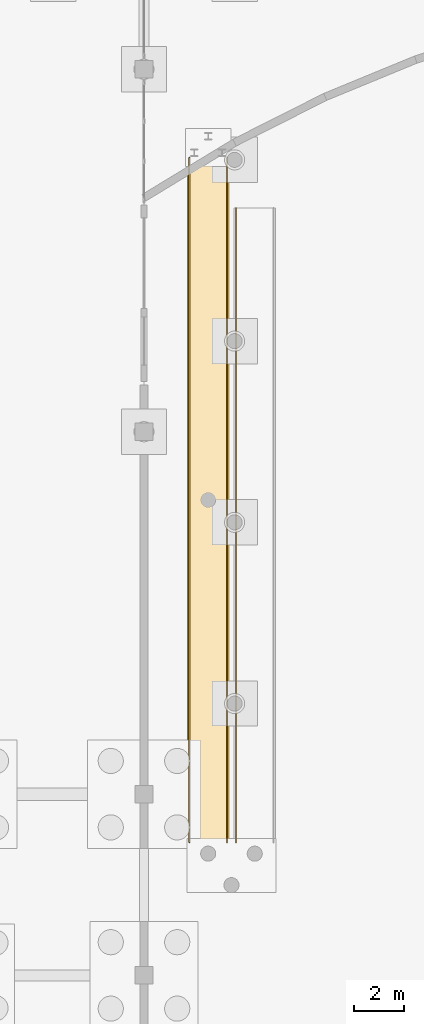
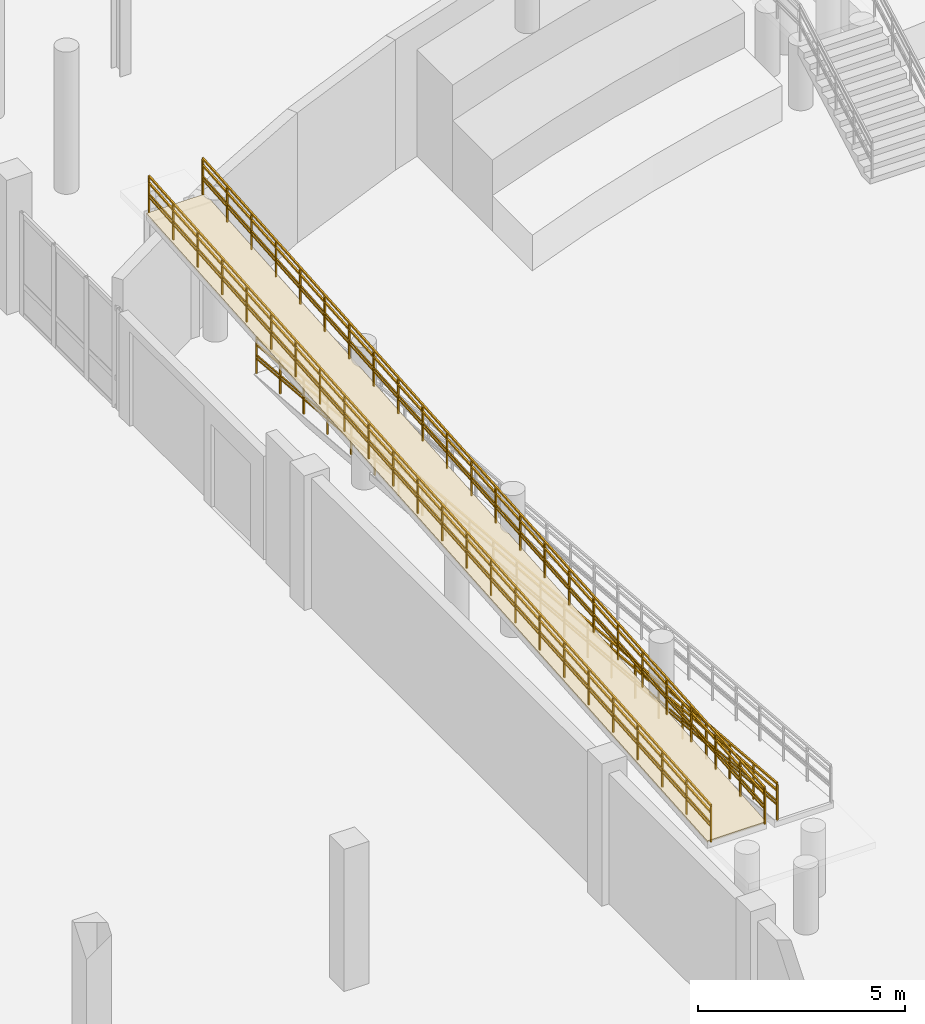
# One storey, part 49 of 56: 6 railings, 1 covering.
"""IFC4 building model written with IfcOpenShell, lengths in metres."""

from ifc_helpers import new_model, si_unit, direction, frame, origin, origin_2d, place, context, subcontext, project, spatial, polyline, rectangle, outline, extrude, material, layer, layer_set, type_object, element, save


model = new_model("IFC4")

# Units and contexts
model_context = context("Model", 3, precision=1e-05, world=origin(), true_north=direction((0.0, 1.0)))
body_context = subcontext(model_context, "Body", "Model", "MODEL_VIEW")
ifc_project = project(units=[si_unit("LENGTHUNIT", "METRE"), si_unit("AREAUNIT", "SQUARE_METRE"), si_unit("VOLUMEUNIT", "CUBIC_METRE"), si_unit("PLANEANGLEUNIT", "RADIAN"), si_unit("MASSUNIT", "GRAM", prefix="KILO")], contexts=[model_context])

# Site, building, storey
site_placement = place(None, origin())
site = spatial("IfcSite", under=ifc_project, at=site_placement, CompositionType="ELEMENT")
building_placement = place(site_placement, origin())
building = spatial("IfcBuilding", under=site, at=building_placement, Name="Suanplinth Sawtooth Commons", CompositionType="ELEMENT")
storey_placement = place(building_placement, frame((0.0, 0.0, -4.199951171875)))
storey = spatial("IfcBuildingStorey", under=building, at=storey_placement, Name="B1", CompositionType="ELEMENT", Elevation=-4.199951171875)

# Covering
ifc_material_1 = material(Name="Insulated zinc-aluminium architectural wall panel", Category="aluminium")
ifc_layer = layer(ifc_material_1, 0.139892578125, Name="Insulated architectural gable tympanum cladding 140mm")
ifc_layer_set = layer_set([ifc_layer], Name="Insulated zinc-aluminium architectural wall panel")
covering_type = type_object("IfcCoveringType", Name="CV-CL02", PredefinedType="CLADDING", material=ifc_layer_set)
covering_placement = place(storey_placement, frame((59.330078125, 12.5380859375, 2.119873046875), z_axis=(0.0, -0.076390700414, 0.99707796129), x_axis=(1.0, 0.0, 0.0)))
element("IfcCovering", 1, at=covering_placement, inside=storey, type_object=covering_type, Name="RMP-AR-01 Upper Ramp Deck Stone Finish", PredefinedType="CLADDING", context=body_context, shape_type="SweptSolid", body=[
    extrude(outline(polyline([(0.0, 0.0), (1.639892578125, 0.0), (1.639892578125, 27.22946790301392), (0.0, 27.22946790301392), (0.0, 0.0)])), origin(), (0.0, 0.0, -1.0), 0.06005859375),
])

# Railings
ifc_material_2 = material(Name="Stainless steel Grade 304", Category="steel")
railing_type_1 = type_object("IfcRailingType", Name="GR-04", PredefinedType="GUARDRAIL", material=ifc_material_2)
railing_1_placement = place(storey_placement, frame((61.25, 37.68798828125, 0.0)))
element("IfcRailing", 2, at=railing_1_placement, inside=storey, type_object=railing_type_1, Name="RMP-AR-01 Guard 1", PredefinedType="GUARDRAIL", context=body_context, shape_type="SweptSolid", body=[
    extrude(rectangle(XDim=0.048095703125, YDim=0.048095703125, at=origin_2d()), frame((0.0, 0.0, 1.076171875), z_axis=(0.0, -0.996546224317, 0.083039886798), x_axis=(1.0, 0.0, 0.0)), (0.0, 0.0, 1.0), 25.287353515625),
    extrude(rectangle(XDim=0.03369140625, YDim=0.03369140625, at=origin_2d()), frame((0.0, 0.0, 0.550048828125), z_axis=(0.0, -0.996546224317, 0.083039886798), x_axis=(1.0, 0.0, 0.0)), (0.0, 0.0, 1.0), 25.287353515625),
    extrude(rectangle(XDim=0.0419921875, YDim=0.0419921875, at=origin_2d()), origin(), (0.0, 0.0, 1.0), 1.052001953125),
    extrude(rectangle(XDim=0.0419921875, YDim=0.0419921875, at=origin_2d()), frame((0.0, -1.1455078125, 0.095458984375)), (0.0, 0.0, 1.0), 1.052001953125),
    extrude(rectangle(XDim=0.0419921875, YDim=0.0419921875, at=origin_2d()), frame((0.0, -2.291015625, 0.19091796875)), (0.0, 0.0, 1.0), 1.052001953125),
    extrude(rectangle(XDim=0.0419921875, YDim=0.0419921875, at=origin_2d()), frame((0.0, -3.436279296875, 0.286376953125)), (0.0, 0.0, 1.0), 1.052001953125),
    extrude(rectangle(XDim=0.0419921875, YDim=0.0419921875, at=origin_2d()), frame((0.0, -4.581787109375, 0.3818359375)), (0.0, 0.0, 1.0), 1.052001953125),
    extrude(rectangle(XDim=0.0419921875, YDim=0.0419921875, at=origin_2d()), frame((0.0, -5.727294921875, 0.477294921875)), (0.0, 0.0, 1.0), 1.052001953125),
    extrude(rectangle(XDim=0.0419921875, YDim=0.0419921875, at=origin_2d()), frame((0.0, -6.872802734375, 0.57275390625)), (0.0, 0.0, 1.0), 1.052001953125),
    extrude(rectangle(XDim=0.0419921875, YDim=0.0419921875, at=origin_2d()), frame((0.0, -8.01806640625, 0.668212890625)), (0.0, 0.0, 1.0), 1.052001953125),
    extrude(rectangle(XDim=0.0419921875, YDim=0.0419921875, at=origin_2d()), frame((0.0, -9.16357421875, 0.763671875)), (0.0, 0.0, 1.0), 1.052001953125),
    extrude(rectangle(XDim=0.0419921875, YDim=0.0419921875, at=origin_2d()), frame((0.0, -10.30908203125, 0.859130859375)), (0.0, 0.0, 1.0), 1.052001953125),
    extrude(rectangle(XDim=0.0419921875, YDim=0.0419921875, at=origin_2d()), frame((0.0, -11.45458984375, 0.95458984375)), (0.0, 0.0, 1.0), 1.052001953125),
    extrude(rectangle(XDim=0.0419921875, YDim=0.0419921875, at=origin_2d()), frame((0.0, -12.60009765625, 1.0498046875)), (0.0, 0.0, 1.0), 1.052001953125),
    extrude(rectangle(XDim=0.0419921875, YDim=0.0419921875, at=origin_2d()), frame((0.0, -13.745361328125, 1.145263671875)), (0.0, 0.0, 1.0), 1.052001953125),
    extrude(rectangle(XDim=0.0419921875, YDim=0.0419921875, at=origin_2d()), frame((0.0, -14.890869140625, 1.24072265625)), (0.0, 0.0, 1.0), 1.052001953125),
    extrude(rectangle(XDim=0.0419921875, YDim=0.0419921875, at=origin_2d()), frame((0.0, -16.036376953125, 1.336181640625)), (0.0, 0.0, 1.0), 1.052001953125),
    extrude(rectangle(XDim=0.0419921875, YDim=0.0419921875, at=origin_2d()), frame((0.0, -17.181884765625, 1.431640625)), (0.0, 0.0, 1.0), 1.052001953125),
    extrude(rectangle(XDim=0.0419921875, YDim=0.0419921875, at=origin_2d()), frame((0.0, -18.3271484375, 1.527099609375)), (0.0, 0.0, 1.0), 1.052001953125),
    extrude(rectangle(XDim=0.0419921875, YDim=0.0419921875, at=origin_2d()), frame((0.0, -19.47265625, 1.62255859375)), (0.0, 0.0, 1.0), 1.052001953125),
    extrude(rectangle(XDim=0.0419921875, YDim=0.0419921875, at=origin_2d()), frame((0.0, -20.6181640625, 1.718017578125)), (0.0, 0.0, 1.0), 1.052001953125),
    extrude(rectangle(XDim=0.0419921875, YDim=0.0419921875, at=origin_2d()), frame((0.0, -21.763671875, 1.8134765625)), (0.0, 0.0, 1.0), 1.052001953125),
    extrude(rectangle(XDim=0.0419921875, YDim=0.0419921875, at=origin_2d()), frame((0.0, -22.908935546875, 1.908935546875)), (0.0, 0.0, 1.0), 1.052001953125),
    extrude(rectangle(XDim=0.0419921875, YDim=0.0419921875, at=origin_2d()), frame((0.0, -24.054443359375, 2.00439453125)), (0.0, 0.0, 1.0), 1.052001953125),
    extrude(rectangle(XDim=0.0419921875, YDim=0.0419921875, at=origin_2d()), frame((0.0, -25.199951171875, 2.099853515625)), (0.0, 0.0, 1.0), 1.052001953125),
])
railing_2_placement = place(storey_placement, frame((59.39990234375, 12.488037109375, 2.099853515625)))
element("IfcRailing", 3, at=railing_2_placement, inside=storey, type_object=railing_type_1, Name="RMP-AR-01 Guard 3", PredefinedType="GUARDRAIL", context=body_context, shape_type="SweptSolid", body=[
    extrude(rectangle(XDim=0.048095703125, YDim=0.048095703125, at=origin_2d()), frame((0.0, 0.0, 1.076171875), z_axis=(0.0, 0.997032598624, 0.076980499353), x_axis=(-1.0, 0.0, 0.0)), (0.0, 0.0, 1.0), 27.281005859375),
    extrude(rectangle(XDim=0.03369140625, YDim=0.03369140625, at=origin_2d()), frame((0.0, 0.0, 0.550048828125), z_axis=(0.0, 0.997032598624, 0.076980499353), x_axis=(-1.0, 0.0, 0.0)), (0.0, 0.0, 1.0), 27.281005859375),
    extrude(rectangle(XDim=0.0419921875, YDim=0.0419921875, at=origin_2d()), origin(), (0.0, 0.0, 1.0), 1.052001953125),
    extrude(rectangle(XDim=0.0419921875, YDim=0.0419921875, at=origin_2d()), frame((0.0, 1.1826171875, 0.09130859375)), (0.0, 0.0, 1.0), 1.052001953125),
    extrude(rectangle(XDim=0.0419921875, YDim=0.0419921875, at=origin_2d()), frame((0.0, 2.365234375, 0.1826171875)), (0.0, 0.0, 1.0), 1.052001953125),
    extrude(rectangle(XDim=0.0419921875, YDim=0.0419921875, at=origin_2d()), frame((0.0, 3.5478515625, 0.27392578125)), (0.0, 0.0, 1.0), 1.052001953125),
    extrude(rectangle(XDim=0.0419921875, YDim=0.0419921875, at=origin_2d()), frame((0.0, 4.73046875, 0.365234375)), (0.0, 0.0, 1.0), 1.052001953125),
    extrude(rectangle(XDim=0.0419921875, YDim=0.0419921875, at=origin_2d()), frame((0.0, 5.9130859375, 0.45654296875)), (0.0, 0.0, 1.0), 1.052001953125),
    extrude(rectangle(XDim=0.0419921875, YDim=0.0419921875, at=origin_2d()), frame((0.0, 7.095703125, 0.5478515625)), (0.0, 0.0, 1.0), 1.052001953125),
    extrude(rectangle(XDim=0.0419921875, YDim=0.0419921875, at=origin_2d()), frame((0.0, 8.2783203125, 0.63916015625)), (0.0, 0.0, 1.0), 1.052001953125),
    extrude(rectangle(XDim=0.0419921875, YDim=0.0419921875, at=origin_2d()), frame((0.0, 9.4609375, 0.73046875)), (0.0, 0.0, 1.0), 1.052001953125),
    extrude(rectangle(XDim=0.0419921875, YDim=0.0419921875, at=origin_2d()), frame((0.0, 10.6435546875, 0.82177734375)), (0.0, 0.0, 1.0), 1.052001953125),
    extrude(rectangle(XDim=0.0419921875, YDim=0.0419921875, at=origin_2d()), frame((0.0, 11.826171875, 0.9130859375)), (0.0, 0.0, 1.0), 1.052001953125),
    extrude(rectangle(XDim=0.0419921875, YDim=0.0419921875, at=origin_2d()), frame((0.0, 13.0087890625, 1.00439453125)), (0.0, 0.0, 1.0), 1.052001953125),
    extrude(rectangle(XDim=0.0419921875, YDim=0.0419921875, at=origin_2d()), frame((0.0, 14.191162109375, 1.095703125)), (0.0, 0.0, 1.0), 1.052001953125),
    extrude(rectangle(XDim=0.0419921875, YDim=0.0419921875, at=origin_2d()), frame((0.0, 15.373779296875, 1.18701171875)), (0.0, 0.0, 1.0), 1.052001953125),
    extrude(rectangle(XDim=0.0419921875, YDim=0.0419921875, at=origin_2d()), frame((0.0, 16.556396484375, 1.2783203125)), (0.0, 0.0, 1.0), 1.052001953125),
    extrude(rectangle(XDim=0.0419921875, YDim=0.0419921875, at=origin_2d()), frame((0.0, 17.739013671875, 1.36962890625)), (0.0, 0.0, 1.0), 1.052001953125),
    extrude(rectangle(XDim=0.0419921875, YDim=0.0419921875, at=origin_2d()), frame((0.0, 18.921630859375, 1.4609375)), (0.0, 0.0, 1.0), 1.052001953125),
    extrude(rectangle(XDim=0.0419921875, YDim=0.0419921875, at=origin_2d()), frame((0.0, 20.104248046875, 1.55224609375)), (0.0, 0.0, 1.0), 1.052001953125),
    extrude(rectangle(XDim=0.0419921875, YDim=0.0419921875, at=origin_2d()), frame((0.0, 21.286865234375, 1.6435546875)), (0.0, 0.0, 1.0), 1.052001953125),
    extrude(rectangle(XDim=0.0419921875, YDim=0.0419921875, at=origin_2d()), frame((0.0, 22.469482421875, 1.73486328125)), (0.0, 0.0, 1.0), 1.052001953125),
    extrude(rectangle(XDim=0.0419921875, YDim=0.0419921875, at=origin_2d()), frame((0.0, 23.652099609375, 1.826171875)), (0.0, 0.0, 1.0), 1.052001953125),
    extrude(rectangle(XDim=0.0419921875, YDim=0.0419921875, at=origin_2d()), frame((0.0, 24.834716796875, 1.91748046875)), (0.0, 0.0, 1.0), 1.052001953125),
    extrude(rectangle(XDim=0.0419921875, YDim=0.0419921875, at=origin_2d()), frame((0.0, 26.017333984375, 2.0087890625)), (0.0, 0.0, 1.0), 1.052001953125),
    extrude(rectangle(XDim=0.0419921875, YDim=0.0419921875, at=origin_2d()), frame((0.0, 27.199951171875, 2.10009765625)), (0.0, 0.0, 1.0), 1.052001953125),
])
railing_3_placement = place(storey_placement, frame((60.89990234375, 12.488037109375, 2.099853515625)))
element("IfcRailing", 4, at=railing_3_placement, inside=storey, type_object=railing_type_1, Name="RMP-AR-01 Guard 4", PredefinedType="GUARDRAIL", context=body_context, shape_type="SweptSolid", body=[
    extrude(rectangle(XDim=0.048095703125, YDim=0.048095703125, at=origin_2d()), frame((0.0, 0.0, 1.076171875), z_axis=(0.0, 0.997032598624, 0.076980499353), x_axis=(-1.0, 0.0, 0.0)), (0.0, 0.0, 1.0), 27.281005859375),
    extrude(rectangle(XDim=0.03369140625, YDim=0.03369140625, at=origin_2d()), frame((0.0, 0.0, 0.550048828125), z_axis=(0.0, 0.997032598624, 0.076980499353), x_axis=(-1.0, 0.0, 0.0)), (0.0, 0.0, 1.0), 27.281005859375),
    extrude(rectangle(XDim=0.0419921875, YDim=0.0419921875, at=origin_2d()), origin(), (0.0, 0.0, 1.0), 1.052001953125),
    extrude(rectangle(XDim=0.0419921875, YDim=0.0419921875, at=origin_2d()), frame((0.0, 1.1826171875, 0.09130859375)), (0.0, 0.0, 1.0), 1.052001953125),
    extrude(rectangle(XDim=0.0419921875, YDim=0.0419921875, at=origin_2d()), frame((0.0, 2.365234375, 0.1826171875)), (0.0, 0.0, 1.0), 1.052001953125),
    extrude(rectangle(XDim=0.0419921875, YDim=0.0419921875, at=origin_2d()), frame((0.0, 3.5478515625, 0.27392578125)), (0.0, 0.0, 1.0), 1.052001953125),
    extrude(rectangle(XDim=0.0419921875, YDim=0.0419921875, at=origin_2d()), frame((0.0, 4.73046875, 0.365234375)), (0.0, 0.0, 1.0), 1.052001953125),
    extrude(rectangle(XDim=0.0419921875, YDim=0.0419921875, at=origin_2d()), frame((0.0, 5.9130859375, 0.45654296875)), (0.0, 0.0, 1.0), 1.052001953125),
    extrude(rectangle(XDim=0.0419921875, YDim=0.0419921875, at=origin_2d()), frame((0.0, 7.095703125, 0.5478515625)), (0.0, 0.0, 1.0), 1.052001953125),
    extrude(rectangle(XDim=0.0419921875, YDim=0.0419921875, at=origin_2d()), frame((0.0, 8.2783203125, 0.63916015625)), (0.0, 0.0, 1.0), 1.052001953125),
    extrude(rectangle(XDim=0.0419921875, YDim=0.0419921875, at=origin_2d()), frame((0.0, 9.4609375, 0.73046875)), (0.0, 0.0, 1.0), 1.052001953125),
    extrude(rectangle(XDim=0.0419921875, YDim=0.0419921875, at=origin_2d()), frame((0.0, 10.6435546875, 0.82177734375)), (0.0, 0.0, 1.0), 1.052001953125),
    extrude(rectangle(XDim=0.0419921875, YDim=0.0419921875, at=origin_2d()), frame((0.0, 11.826171875, 0.9130859375)), (0.0, 0.0, 1.0), 1.052001953125),
    extrude(rectangle(XDim=0.0419921875, YDim=0.0419921875, at=origin_2d()), frame((0.0, 13.0087890625, 1.00439453125)), (0.0, 0.0, 1.0), 1.052001953125),
    extrude(rectangle(XDim=0.0419921875, YDim=0.0419921875, at=origin_2d()), frame((0.0, 14.191162109375, 1.095703125)), (0.0, 0.0, 1.0), 1.052001953125),
    extrude(rectangle(XDim=0.0419921875, YDim=0.0419921875, at=origin_2d()), frame((0.0, 15.373779296875, 1.18701171875)), (0.0, 0.0, 1.0), 1.052001953125),
    extrude(rectangle(XDim=0.0419921875, YDim=0.0419921875, at=origin_2d()), frame((0.0, 16.556396484375, 1.2783203125)), (0.0, 0.0, 1.0), 1.052001953125),
    extrude(rectangle(XDim=0.0419921875, YDim=0.0419921875, at=origin_2d()), frame((0.0, 17.739013671875, 1.36962890625)), (0.0, 0.0, 1.0), 1.052001953125),
    extrude(rectangle(XDim=0.0419921875, YDim=0.0419921875, at=origin_2d()), frame((0.0, 18.921630859375, 1.4609375)), (0.0, 0.0, 1.0), 1.052001953125),
    extrude(rectangle(XDim=0.0419921875, YDim=0.0419921875, at=origin_2d()), frame((0.0, 20.104248046875, 1.55224609375)), (0.0, 0.0, 1.0), 1.052001953125),
    extrude(rectangle(XDim=0.0419921875, YDim=0.0419921875, at=origin_2d()), frame((0.0, 21.286865234375, 1.6435546875)), (0.0, 0.0, 1.0), 1.052001953125),
    extrude(rectangle(XDim=0.0419921875, YDim=0.0419921875, at=origin_2d()), frame((0.0, 22.469482421875, 1.73486328125)), (0.0, 0.0, 1.0), 1.052001953125),
    extrude(rectangle(XDim=0.0419921875, YDim=0.0419921875, at=origin_2d()), frame((0.0, 23.652099609375, 1.826171875)), (0.0, 0.0, 1.0), 1.052001953125),
    extrude(rectangle(XDim=0.0419921875, YDim=0.0419921875, at=origin_2d()), frame((0.0, 24.834716796875, 1.91748046875)), (0.0, 0.0, 1.0), 1.052001953125),
    extrude(rectangle(XDim=0.0419921875, YDim=0.0419921875, at=origin_2d()), frame((0.0, 26.017333984375, 2.0087890625)), (0.0, 0.0, 1.0), 1.052001953125),
    extrude(rectangle(XDim=0.0419921875, YDim=0.0419921875, at=origin_2d()), frame((0.0, 27.199951171875, 2.10009765625)), (0.0, 0.0, 1.0), 1.052001953125),
])
railing_type_2 = type_object("IfcRailingType", Name="HR-01", PredefinedType="HANDRAIL", material=ifc_material_2)
railing_4_placement = place(storey_placement, frame((61.25, 37.68798828125, 0.0)))
element("IfcRailing", 5, at=railing_4_placement, inside=storey, type_object=railing_type_2, Name="RMP-AR-01 Handrail 1", PredefinedType="HANDRAIL", context=body_context, shape_type="SweptSolid", body=[
    extrude(rectangle(XDim=0.048095703125, YDim=0.048095703125, at=origin_2d()), frame((0.0, 0.0, 0.8759765625), z_axis=(0.0, -0.996546224317, 0.083039886798), x_axis=(1.0, 0.0, 0.0)), (0.0, 0.0, 1.0), 25.287353515625),
    extrude(rectangle(XDim=0.03369140625, YDim=0.03369140625, at=origin_2d()), frame((0.0, 0.0, 0.449951171875), z_axis=(0.0, -0.996546224317, 0.083039886798), x_axis=(1.0, 0.0, 0.0)), (0.0, 0.0, 1.0), 25.287353515625),
    extrude(rectangle(XDim=0.0419921875, YDim=0.0419921875, at=origin_2d()), origin(), (0.0, 0.0, 1.0), 0.851806640625),
    extrude(rectangle(XDim=0.0419921875, YDim=0.0419921875, at=origin_2d()), frame((0.0, -1.1455078125, 0.095458984375)), (0.0, 0.0, 1.0), 0.851806640625),
    extrude(rectangle(XDim=0.0419921875, YDim=0.0419921875, at=origin_2d()), frame((0.0, -2.291015625, 0.19091796875)), (0.0, 0.0, 1.0), 0.851806640625),
    extrude(rectangle(XDim=0.0419921875, YDim=0.0419921875, at=origin_2d()), frame((0.0, -3.436279296875, 0.286376953125)), (0.0, 0.0, 1.0), 0.851806640625),
    extrude(rectangle(XDim=0.0419921875, YDim=0.0419921875, at=origin_2d()), frame((0.0, -4.581787109375, 0.3818359375)), (0.0, 0.0, 1.0), 0.851806640625),
    extrude(rectangle(XDim=0.0419921875, YDim=0.0419921875, at=origin_2d()), frame((0.0, -5.727294921875, 0.477294921875)), (0.0, 0.0, 1.0), 0.851806640625),
    extrude(rectangle(XDim=0.0419921875, YDim=0.0419921875, at=origin_2d()), frame((0.0, -6.872802734375, 0.57275390625)), (0.0, 0.0, 1.0), 0.851806640625),
    extrude(rectangle(XDim=0.0419921875, YDim=0.0419921875, at=origin_2d()), frame((0.0, -8.01806640625, 0.668212890625)), (0.0, 0.0, 1.0), 0.851806640625),
    extrude(rectangle(XDim=0.0419921875, YDim=0.0419921875, at=origin_2d()), frame((0.0, -9.16357421875, 0.763671875)), (0.0, 0.0, 1.0), 0.851806640625),
    extrude(rectangle(XDim=0.0419921875, YDim=0.0419921875, at=origin_2d()), frame((0.0, -10.30908203125, 0.859130859375)), (0.0, 0.0, 1.0), 0.851806640625),
    extrude(rectangle(XDim=0.0419921875, YDim=0.0419921875, at=origin_2d()), frame((0.0, -11.45458984375, 0.95458984375)), (0.0, 0.0, 1.0), 0.851806640625),
    extrude(rectangle(XDim=0.0419921875, YDim=0.0419921875, at=origin_2d()), frame((0.0, -12.60009765625, 1.0498046875)), (0.0, 0.0, 1.0), 0.851806640625),
    extrude(rectangle(XDim=0.0419921875, YDim=0.0419921875, at=origin_2d()), frame((0.0, -13.745361328125, 1.145263671875)), (0.0, 0.0, 1.0), 0.851806640625),
    extrude(rectangle(XDim=0.0419921875, YDim=0.0419921875, at=origin_2d()), frame((0.0, -14.890869140625, 1.24072265625)), (0.0, 0.0, 1.0), 0.851806640625),
    extrude(rectangle(XDim=0.0419921875, YDim=0.0419921875, at=origin_2d()), frame((0.0, -16.036376953125, 1.336181640625)), (0.0, 0.0, 1.0), 0.851806640625),
    extrude(rectangle(XDim=0.0419921875, YDim=0.0419921875, at=origin_2d()), frame((0.0, -17.181884765625, 1.431640625)), (0.0, 0.0, 1.0), 0.851806640625),
    extrude(rectangle(XDim=0.0419921875, YDim=0.0419921875, at=origin_2d()), frame((0.0, -18.3271484375, 1.527099609375)), (0.0, 0.0, 1.0), 0.851806640625),
    extrude(rectangle(XDim=0.0419921875, YDim=0.0419921875, at=origin_2d()), frame((0.0, -19.47265625, 1.62255859375)), (0.0, 0.0, 1.0), 0.851806640625),
    extrude(rectangle(XDim=0.0419921875, YDim=0.0419921875, at=origin_2d()), frame((0.0, -20.6181640625, 1.718017578125)), (0.0, 0.0, 1.0), 0.851806640625),
    extrude(rectangle(XDim=0.0419921875, YDim=0.0419921875, at=origin_2d()), frame((0.0, -21.763671875, 1.8134765625)), (0.0, 0.0, 1.0), 0.851806640625),
    extrude(rectangle(XDim=0.0419921875, YDim=0.0419921875, at=origin_2d()), frame((0.0, -22.908935546875, 1.908935546875)), (0.0, 0.0, 1.0), 0.851806640625),
    extrude(rectangle(XDim=0.0419921875, YDim=0.0419921875, at=origin_2d()), frame((0.0, -24.054443359375, 2.00439453125)), (0.0, 0.0, 1.0), 0.851806640625),
    extrude(rectangle(XDim=0.0419921875, YDim=0.0419921875, at=origin_2d()), frame((0.0, -25.199951171875, 2.099853515625)), (0.0, 0.0, 1.0), 0.851806640625),
])
railing_5_placement = place(storey_placement, frame((59.39990234375, 12.488037109375, 2.099853515625)))
element("IfcRailing", 6, at=railing_5_placement, inside=storey, type_object=railing_type_2, Name="RMP-AR-01 Handrail 3", PredefinedType="HANDRAIL", context=body_context, shape_type="SweptSolid", body=[
    extrude(rectangle(XDim=0.048095703125, YDim=0.048095703125, at=origin_2d()), frame((0.0, 0.0, 0.8759765625), z_axis=(0.0, 0.997032598624, 0.076980499353), x_axis=(-1.0, 0.0, 0.0)), (0.0, 0.0, 1.0), 27.281005859375),
    extrude(rectangle(XDim=0.03369140625, YDim=0.03369140625, at=origin_2d()), frame((0.0, 0.0, 0.449951171875), z_axis=(0.0, 0.997032598624, 0.076980499353), x_axis=(-1.0, 0.0, 0.0)), (0.0, 0.0, 1.0), 27.281005859375),
    extrude(rectangle(XDim=0.0419921875, YDim=0.0419921875, at=origin_2d()), origin(), (0.0, 0.0, 1.0), 0.851806640625),
    extrude(rectangle(XDim=0.0419921875, YDim=0.0419921875, at=origin_2d()), frame((0.0, 1.1826171875, 0.09130859375)), (0.0, 0.0, 1.0), 0.851806640625),
    extrude(rectangle(XDim=0.0419921875, YDim=0.0419921875, at=origin_2d()), frame((0.0, 2.365234375, 0.1826171875)), (0.0, 0.0, 1.0), 0.851806640625),
    extrude(rectangle(XDim=0.0419921875, YDim=0.0419921875, at=origin_2d()), frame((0.0, 3.5478515625, 0.27392578125)), (0.0, 0.0, 1.0), 0.851806640625),
    extrude(rectangle(XDim=0.0419921875, YDim=0.0419921875, at=origin_2d()), frame((0.0, 4.73046875, 0.365234375)), (0.0, 0.0, 1.0), 0.851806640625),
    extrude(rectangle(XDim=0.0419921875, YDim=0.0419921875, at=origin_2d()), frame((0.0, 5.9130859375, 0.45654296875)), (0.0, 0.0, 1.0), 0.851806640625),
    extrude(rectangle(XDim=0.0419921875, YDim=0.0419921875, at=origin_2d()), frame((0.0, 7.095703125, 0.5478515625)), (0.0, 0.0, 1.0), 0.851806640625),
    extrude(rectangle(XDim=0.0419921875, YDim=0.0419921875, at=origin_2d()), frame((0.0, 8.2783203125, 0.63916015625)), (0.0, 0.0, 1.0), 0.851806640625),
    extrude(rectangle(XDim=0.0419921875, YDim=0.0419921875, at=origin_2d()), frame((0.0, 9.4609375, 0.73046875)), (0.0, 0.0, 1.0), 0.851806640625),
    extrude(rectangle(XDim=0.0419921875, YDim=0.0419921875, at=origin_2d()), frame((0.0, 10.6435546875, 0.82177734375)), (0.0, 0.0, 1.0), 0.851806640625),
    extrude(rectangle(XDim=0.0419921875, YDim=0.0419921875, at=origin_2d()), frame((0.0, 11.826171875, 0.9130859375)), (0.0, 0.0, 1.0), 0.851806640625),
    extrude(rectangle(XDim=0.0419921875, YDim=0.0419921875, at=origin_2d()), frame((0.0, 13.0087890625, 1.00439453125)), (0.0, 0.0, 1.0), 0.851806640625),
    extrude(rectangle(XDim=0.0419921875, YDim=0.0419921875, at=origin_2d()), frame((0.0, 14.191162109375, 1.095703125)), (0.0, 0.0, 1.0), 0.851806640625),
    extrude(rectangle(XDim=0.0419921875, YDim=0.0419921875, at=origin_2d()), frame((0.0, 15.373779296875, 1.18701171875)), (0.0, 0.0, 1.0), 0.851806640625),
    extrude(rectangle(XDim=0.0419921875, YDim=0.0419921875, at=origin_2d()), frame((0.0, 16.556396484375, 1.2783203125)), (0.0, 0.0, 1.0), 0.851806640625),
    extrude(rectangle(XDim=0.0419921875, YDim=0.0419921875, at=origin_2d()), frame((0.0, 17.739013671875, 1.36962890625)), (0.0, 0.0, 1.0), 0.851806640625),
    extrude(rectangle(XDim=0.0419921875, YDim=0.0419921875, at=origin_2d()), frame((0.0, 18.921630859375, 1.4609375)), (0.0, 0.0, 1.0), 0.851806640625),
    extrude(rectangle(XDim=0.0419921875, YDim=0.0419921875, at=origin_2d()), frame((0.0, 20.104248046875, 1.55224609375)), (0.0, 0.0, 1.0), 0.851806640625),
    extrude(rectangle(XDim=0.0419921875, YDim=0.0419921875, at=origin_2d()), frame((0.0, 21.286865234375, 1.6435546875)), (0.0, 0.0, 1.0), 0.851806640625),
    extrude(rectangle(XDim=0.0419921875, YDim=0.0419921875, at=origin_2d()), frame((0.0, 22.469482421875, 1.73486328125)), (0.0, 0.0, 1.0), 0.851806640625),
    extrude(rectangle(XDim=0.0419921875, YDim=0.0419921875, at=origin_2d()), frame((0.0, 23.652099609375, 1.826171875)), (0.0, 0.0, 1.0), 0.851806640625),
    extrude(rectangle(XDim=0.0419921875, YDim=0.0419921875, at=origin_2d()), frame((0.0, 24.834716796875, 1.91748046875)), (0.0, 0.0, 1.0), 0.851806640625),
    extrude(rectangle(XDim=0.0419921875, YDim=0.0419921875, at=origin_2d()), frame((0.0, 26.017333984375, 2.0087890625)), (0.0, 0.0, 1.0), 0.851806640625),
    extrude(rectangle(XDim=0.0419921875, YDim=0.0419921875, at=origin_2d()), frame((0.0, 27.199951171875, 2.10009765625)), (0.0, 0.0, 1.0), 0.851806640625),
])
railing_6_placement = place(storey_placement, frame((60.89990234375, 12.488037109375, 2.099853515625)))
element("IfcRailing", 7, at=railing_6_placement, inside=storey, type_object=railing_type_2, Name="RMP-AR-01 Handrail 4", PredefinedType="HANDRAIL", context=body_context, shape_type="SweptSolid", body=[
    extrude(rectangle(XDim=0.048095703125, YDim=0.048095703125, at=origin_2d()), frame((0.0, 0.0, 0.8759765625), z_axis=(0.0, 0.997032598624, 0.076980499353), x_axis=(-1.0, 0.0, 0.0)), (0.0, 0.0, 1.0), 27.281005859375),
    extrude(rectangle(XDim=0.03369140625, YDim=0.03369140625, at=origin_2d()), frame((0.0, 0.0, 0.449951171875), z_axis=(0.0, 0.997032598624, 0.076980499353), x_axis=(-1.0, 0.0, 0.0)), (0.0, 0.0, 1.0), 27.281005859375),
    extrude(rectangle(XDim=0.0419921875, YDim=0.0419921875, at=origin_2d()), origin(), (0.0, 0.0, 1.0), 0.851806640625),
    extrude(rectangle(XDim=0.0419921875, YDim=0.0419921875, at=origin_2d()), frame((0.0, 1.1826171875, 0.09130859375)), (0.0, 0.0, 1.0), 0.851806640625),
    extrude(rectangle(XDim=0.0419921875, YDim=0.0419921875, at=origin_2d()), frame((0.0, 2.365234375, 0.1826171875)), (0.0, 0.0, 1.0), 0.851806640625),
    extrude(rectangle(XDim=0.0419921875, YDim=0.0419921875, at=origin_2d()), frame((0.0, 3.5478515625, 0.27392578125)), (0.0, 0.0, 1.0), 0.851806640625),
    extrude(rectangle(XDim=0.0419921875, YDim=0.0419921875, at=origin_2d()), frame((0.0, 4.73046875, 0.365234375)), (0.0, 0.0, 1.0), 0.851806640625),
    extrude(rectangle(XDim=0.0419921875, YDim=0.0419921875, at=origin_2d()), frame((0.0, 5.9130859375, 0.45654296875)), (0.0, 0.0, 1.0), 0.851806640625),
    extrude(rectangle(XDim=0.0419921875, YDim=0.0419921875, at=origin_2d()), frame((0.0, 7.095703125, 0.5478515625)), (0.0, 0.0, 1.0), 0.851806640625),
    extrude(rectangle(XDim=0.0419921875, YDim=0.0419921875, at=origin_2d()), frame((0.0, 8.2783203125, 0.63916015625)), (0.0, 0.0, 1.0), 0.851806640625),
    extrude(rectangle(XDim=0.0419921875, YDim=0.0419921875, at=origin_2d()), frame((0.0, 9.4609375, 0.73046875)), (0.0, 0.0, 1.0), 0.851806640625),
    extrude(rectangle(XDim=0.0419921875, YDim=0.0419921875, at=origin_2d()), frame((0.0, 10.6435546875, 0.82177734375)), (0.0, 0.0, 1.0), 0.851806640625),
    extrude(rectangle(XDim=0.0419921875, YDim=0.0419921875, at=origin_2d()), frame((0.0, 11.826171875, 0.9130859375)), (0.0, 0.0, 1.0), 0.851806640625),
    extrude(rectangle(XDim=0.0419921875, YDim=0.0419921875, at=origin_2d()), frame((0.0, 13.0087890625, 1.00439453125)), (0.0, 0.0, 1.0), 0.851806640625),
    extrude(rectangle(XDim=0.0419921875, YDim=0.0419921875, at=origin_2d()), frame((0.0, 14.191162109375, 1.095703125)), (0.0, 0.0, 1.0), 0.851806640625),
    extrude(rectangle(XDim=0.0419921875, YDim=0.0419921875, at=origin_2d()), frame((0.0, 15.373779296875, 1.18701171875)), (0.0, 0.0, 1.0), 0.851806640625),
    extrude(rectangle(XDim=0.0419921875, YDim=0.0419921875, at=origin_2d()), frame((0.0, 16.556396484375, 1.2783203125)), (0.0, 0.0, 1.0), 0.851806640625),
    extrude(rectangle(XDim=0.0419921875, YDim=0.0419921875, at=origin_2d()), frame((0.0, 17.739013671875, 1.36962890625)), (0.0, 0.0, 1.0), 0.851806640625),
    extrude(rectangle(XDim=0.0419921875, YDim=0.0419921875, at=origin_2d()), frame((0.0, 18.921630859375, 1.4609375)), (0.0, 0.0, 1.0), 0.851806640625),
    extrude(rectangle(XDim=0.0419921875, YDim=0.0419921875, at=origin_2d()), frame((0.0, 20.104248046875, 1.55224609375)), (0.0, 0.0, 1.0), 0.851806640625),
    extrude(rectangle(XDim=0.0419921875, YDim=0.0419921875, at=origin_2d()), frame((0.0, 21.286865234375, 1.6435546875)), (0.0, 0.0, 1.0), 0.851806640625),
    extrude(rectangle(XDim=0.0419921875, YDim=0.0419921875, at=origin_2d()), frame((0.0, 22.469482421875, 1.73486328125)), (0.0, 0.0, 1.0), 0.851806640625),
    extrude(rectangle(XDim=0.0419921875, YDim=0.0419921875, at=origin_2d()), frame((0.0, 23.652099609375, 1.826171875)), (0.0, 0.0, 1.0), 0.851806640625),
    extrude(rectangle(XDim=0.0419921875, YDim=0.0419921875, at=origin_2d()), frame((0.0, 24.834716796875, 1.91748046875)), (0.0, 0.0, 1.0), 0.851806640625),
    extrude(rectangle(XDim=0.0419921875, YDim=0.0419921875, at=origin_2d()), frame((0.0, 26.017333984375, 2.0087890625)), (0.0, 0.0, 1.0), 0.851806640625),
    extrude(rectangle(XDim=0.0419921875, YDim=0.0419921875, at=origin_2d()), frame((0.0, 27.199951171875, 2.10009765625)), (0.0, 0.0, 1.0), 0.851806640625),
])

save(model, "model.ifc")
